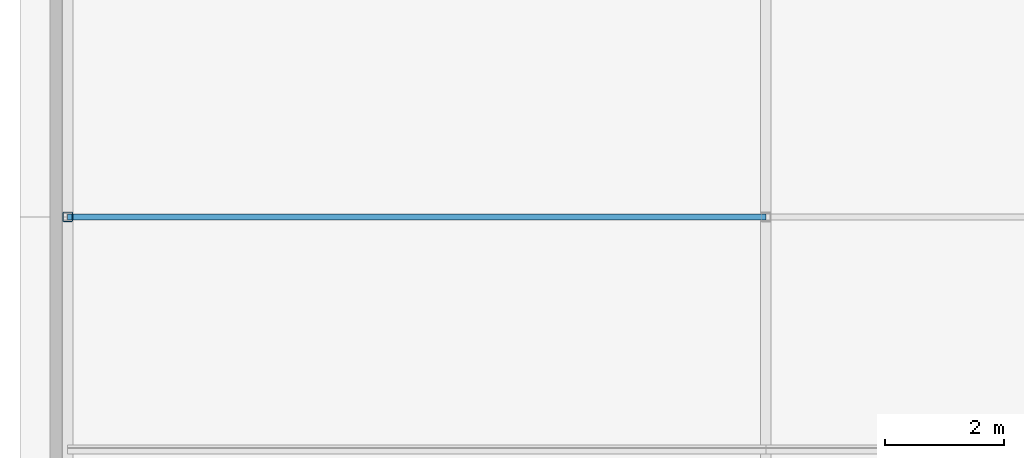
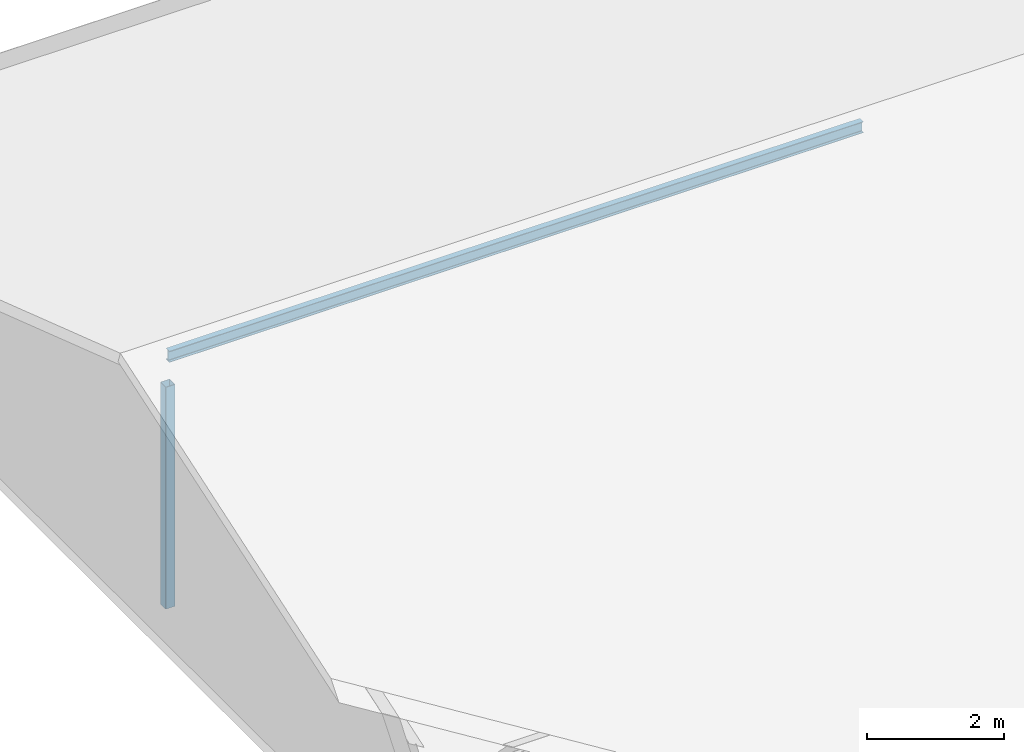
# One storey, part 2 of 12: 2 members.
"""IFC4 building model written with IfcOpenShell, lengths in metres."""

import ifcopenshell
import ifcopenshell.guid

model = None  # the IFC model being written
_history = None  # IfcOwnerHistory: only IFC2X3 demands one
_inside = {}  # id of a spatial element -> (the spatial element, [elements in it])
_under = {}  # id of a project, library or spatial element -> (it, [spatial elements below it])
_declared = {}  # id of a project -> (the project, [libraries it declares])
_typed = {}  # id of a type object -> (the type object, [elements of that type])
_made_of = {}  # id of a material, layer set ... -> (it, [elements and type objects made of it])


def new_model(schema):
    """Start an empty IFC model of exactly this schema.

    Asked for "IFC4X3", IfcOpenShell would pick the latest addendum, in which some entities
    have other attributes; the version numbers below select the first issue.
    IFC2X3 requires an IfcOwnerHistory on every rooted entity: one is made here for all.
    """
    global model, _history
    if schema == "IFC4X3":
        model = ifcopenshell.file(schema_version=(4, 3, 0, 0))
    else:
        model = ifcopenshell.file(schema=schema)
    _inside.clear()
    _under.clear()
    _declared.clear()
    _typed.clear()
    _made_of.clear()
    _history = None
    if model.schema == "IFC2X3":
        org = make("IfcOrganization", Name="unknown")
        user = make(
            "IfcPersonAndOrganization",
            ThePerson=make("IfcPerson", FamilyName="unknown"),
            TheOrganization=org,
        )
        app = make(
            "IfcApplication",
            ApplicationDeveloper=org,
            Version="unknown",
            ApplicationFullName="unknown",
            ApplicationIdentifier="unknown",
        )
        _history = make(
            "IfcOwnerHistory",
            OwningUser=user,
            OwningApplication=app,
            ChangeAction="ADDED",
            CreationDate=0,
        )
    return model


def make(cls, **values):
    """One entity of the class cls with the attributes given. An attribute that is None is left unset."""
    return model.create_entity(
        cls, **{name: value for name, value in values.items() if value is not None}
    )


def rooted(cls, **values):
    """An entity with a GlobalId (a new one), such as an element, a storey or a relation."""
    return make(cls, GlobalId=ifcopenshell.guid.new(), OwnerHistory=_history, **values)


def si_unit(unit_type, name, prefix=None):
    """IfcSIUnit, for example si_unit("LENGTHUNIT", "METRE", prefix="MILLI")."""
    return make("IfcSIUnit", UnitType=unit_type, Prefix=prefix, Name=name)


def assignment(units):
    """IfcUnitAssignment: the units of a project."""
    return None if units is None else make("IfcUnitAssignment", Units=units)


def point(xyz):
    """IfcCartesianPoint."""
    return None if xyz is None else make("IfcCartesianPoint", Coordinates=xyz)


def direction(xyz):
    """IfcDirection."""
    return None if xyz is None else make("IfcDirection", DirectionRatios=xyz)


def frame(location, z_axis=None, x_axis=None):
    """IfcAxis2Placement3D, a coordinate frame: its origin and axes. An axis left out is left unset."""
    return make(
        "IfcAxis2Placement3D",
        Location=point(location),
        Axis=direction(z_axis),
        RefDirection=direction(x_axis),
    )


def frame_2d(location, x_axis=None):
    """IfcAxis2Placement2D, a coordinate frame in the plane: its origin and x axis."""
    return make(
        "IfcAxis2Placement2D", Location=point(location), RefDirection=direction(x_axis)
    )


def origin():
    """The frame at (0, 0, 0) with its axes left unset."""
    return frame((0.0, 0.0, 0.0))


def origin_2d():
    """The frame at (0, 0) in the plane with its x axis left unset."""
    return frame_2d((0.0, 0.0))


def place(relative_to, where):
    """IfcLocalPlacement: puts the frame where relative to a parent placement (None: the world)."""
    return make(
        "IfcLocalPlacement", PlacementRelTo=relative_to, RelativePlacement=where
    )


def context(
    kind, dimensions, precision=None, world=None, true_north=None, identifier=None
):
    """IfcGeometricRepresentationContext, for example the 3D "Model" context."""
    return make(
        "IfcGeometricRepresentationContext",
        ContextIdentifier=identifier,
        ContextType=kind,
        CoordinateSpaceDimension=dimensions,
        Precision=precision,
        WorldCoordinateSystem=world,
        TrueNorth=true_north,
    )


def subcontext(parent, identifier, kind, view, scale=None):
    """IfcGeometricRepresentationSubContext, for example "Body" below "Model"."""
    return make(
        "IfcGeometricRepresentationSubContext",
        ContextIdentifier=identifier,
        ContextType=kind,
        ParentContext=parent,
        TargetScale=scale,
        TargetView=view,
    )


def project(units=None, contexts=None):
    """IfcProject with its units and contexts."""
    return rooted(
        "IfcProject",
        Name="project",
        RepresentationContexts=contexts,
        UnitsInContext=assignment(units),
    )


def spatial(cls, under=None, at=None, **own):
    """A site, building, storey or space (cls), placed at a placement, below another one or the project."""
    s = rooted(cls, ObjectPlacement=at, **own)
    if under is not None:
        _under.setdefault(under.id(), (under, []))[1].append(s)
    return s


def profile(cls, at=None, kind="AREA", **sizes):
    """A parametric profile (cls). Its sizes go by their IFC names, for example OverallWidth=200.0."""
    return make(cls, ProfileType=kind, Position=at, **sizes)


def hollow_rectangle(**sizes):
    """IfcRectangleHollowProfileDef."""
    return profile("IfcRectangleHollowProfileDef", **sizes)


def i_section(**sizes):
    """IfcIShapeProfileDef."""
    return profile("IfcIShapeProfileDef", **sizes)


def extrude(swept, where, along, depth):
    """IfcExtrudedAreaSolid: the profile swept, set in the frame where, extruded along a direction by depth."""
    return make(
        "IfcExtrudedAreaSolid",
        SweptArea=swept,
        Position=where,
        ExtrudedDirection=direction(along),
        Depth=depth,
    )


def shape(context_of_items, identifier, shape_type, items):
    """IfcShapeRepresentation: the items that make up one representation, for example the "Body"."""
    return make(
        "IfcShapeRepresentation",
        ContextOfItems=context_of_items,
        RepresentationIdentifier=identifier,
        RepresentationType=shape_type,
        Items=items,
    )


def material(Name=None, Category=None):
    """IfcMaterial."""
    return make("IfcMaterial", Name=Name, Category=Category)


def material_profile(
    of_material, cross_section, Name=None, Category=None, Priority=None
):
    """IfcMaterialProfile: a cross section and its material."""
    return make(
        "IfcMaterialProfile",
        Name=Name,
        Material=of_material,
        Profile=cross_section,
        Priority=Priority,
        Category=Category,
    )


def profile_set(profiles, Name=None, composite=None):
    """IfcMaterialProfileSet."""
    return make(
        "IfcMaterialProfileSet",
        Name=Name,
        MaterialProfiles=profiles,
        CompositeProfile=composite,
    )


def made_of(thing, what):
    """Note that an element or type object is made of a material, layer set ...; save() writes the relation."""
    if what is not None:
        _made_of.setdefault(what.id(), (what, []))[1].append(thing)
    return thing


def type_object(cls, material=None, **own):
    """A type object (cls), such as IfcWallType, which elements share."""
    return made_of(rooted(cls, **own), material)


def element(
    cls,
    number,
    at=None,
    inside=None,
    cuts=None,
    type_object=None,
    material=None,
    context=None,
    identifier="Body",
    shape_type=None,
    held_by="IfcProductDefinitionShape",
    body=None,
    shapes=None,
    **own,
):
    """One element of the class cls, such as IfcWall. Its Tag is "e" and its number.

    at: its placement. inside: the storey or other place that contains it. cuts: it is an
    opening in that element (IfcRelVoidsElement). A single representation is given by context,
    identifier, shape_type and body (its items); several are given by shapes. held_by: the class
    of the entity that holds the representations. save() writes the other relations.
    """
    e = rooted(cls, Tag="e%d" % number, ObjectPlacement=at, **own)
    if body is not None:
        shapes = [shape(context, identifier, shape_type, body)]
    if shapes is not None:
        e.Representation = make(held_by, Representations=shapes)
    if inside is not None:
        _inside.setdefault(inside.id(), (inside, []))[1].append(e)
    if cuts is not None:
        rooted(
            "IfcRelVoidsElement", RelatingBuildingElement=cuts, RelatedOpeningElement=e
        )
    if type_object is not None:
        _typed.setdefault(type_object.id(), (type_object, []))[1].append(e)
    return made_of(e, material)


def aggregate(whole, parts):
    """IfcRelAggregates: a whole, such as a stair, and the parts it consists of."""
    return rooted("IfcRelAggregates", RelatingObject=whole, RelatedObjects=parts)


def save(model, path):
    """Write the relations noted so far, then the file.

    IfcRelAggregates (storeys below a building ...), IfcRelContainedInSpatialStructure (elements
    in a storey), IfcRelDefinesByType, IfcRelAssociatesMaterial and IfcRelDeclares: one each for
    every whole, place, type object, material and project.
    """
    for whole, parts in _under.values():
        aggregate(whole, parts)
    for where, things in _inside.values():
        rooted(
            "IfcRelContainedInSpatialStructure",
            RelatedElements=things,
            RelatingStructure=where,
        )
    for kind, things in _typed.values():
        rooted("IfcRelDefinesByType", RelatedObjects=things, RelatingType=kind)
    for what, things in _made_of.values():
        rooted("IfcRelAssociatesMaterial", RelatedObjects=things, RelatingMaterial=what)
    for by, libraries in _declared.values():
        rooted("IfcRelDeclares", RelatingContext=by, RelatedDefinitions=libraries)
    model.write(path)


model = new_model("IFC4")

# Units and contexts
model_context = context("Model", 3, precision=1e-05, world=origin(), true_north=direction((0.0, 1.0)))
body_context = subcontext(model_context, "Body", "Model", "MODEL_VIEW")
ifc_project = project(units=[si_unit("LENGTHUNIT", "METRE"), si_unit("AREAUNIT", "SQUARE_METRE"), si_unit("VOLUMEUNIT", "CUBIC_METRE"), si_unit("PLANEANGLEUNIT", "RADIAN"), si_unit("MASSUNIT", "GRAM", prefix="KILO")], contexts=[model_context])

# Site, building, storey
site_placement = place(None, origin())
site = spatial("IfcSite", under=ifc_project, at=site_placement, CompositionType="ELEMENT")
building_placement = place(site_placement, origin())
building = spatial("IfcBuilding", under=site, at=building_placement, Name="Lilac Gate Convention Centre", CompositionType="ELEMENT")
storey_placement = place(building_placement, frame((0.0, 0.0, 71.39990234375)))
storey = spatial("IfcBuildingStorey", under=building, at=storey_placement, Name="Roof", CompositionType="ELEMENT", Elevation=71.39990234375)

# Members
ifc_material = material(Name="Steel Q355B", Category="steel")
ifc_material_profile_1 = material_profile(ifc_material, hollow_rectangle(XDim=0.159912109375, YDim=0.159912109375, WallThickness=0.006103515625, InnerFilletRadius=0.006103515625, OuterFilletRadius=0.011962890625, at=origin_2d()), Name="SHS160x160x6")
ifc_profile_set_1 = profile_set([ifc_material_profile_1], Name="Steel Q355B")
member_type_1 = type_object("IfcMemberType", Name="Crown king post SHS160x160x6", PredefinedType="STRUT", material=ifc_profile_set_1)
member_1_placement = place(storey_placement, frame((42.300048828125, 234.0, 0.300048828125), z_axis=(0.0, 0.0, 1.0), x_axis=(1.0, 0.0, 0.0)))
element("IfcMember", 1, at=member_1_placement, inside=storey, type_object=member_type_1, Name="CK1 crown frame 1 king post", PredefinedType="STRUT", context=body_context, shape_type="SweptSolid", body=[
    extrude(hollow_rectangle(XDim=0.159912109375, YDim=0.159912109375, WallThickness=0.006103515625, InnerFilletRadius=0.006103515625, OuterFilletRadius=0.011962890625, at=origin_2d()), origin(), (0.0, 0.0, 1.0), 3.954345703125),
])
ifc_material_profile_2 = material_profile(ifc_material, i_section(OverallWidth=0.10009765625, OverallDepth=0.199951171875, WebThickness=0.005615234375, FlangeThickness=0.008056640625, FilletRadius=0.008056640625, at=origin_2d()), Name="HN200x100x5.5x8")
ifc_profile_set_2 = profile_set([ifc_material_profile_2], Name="Steel Q355B")
member_type_2 = type_object("IfcMemberType", Name="Crown purlin HN200x100x5.5x8", PredefinedType="PURLIN", material=ifc_profile_set_2)
member_2_placement = place(storey_placement, frame((42.300048828125, 234.0, 4.75048828125), z_axis=(1.0, 0.0, 0.0), x_axis=(0.0, 1.0, 0.0)))
element("IfcMember", 2, at=member_2_placement, inside=storey, type_object=member_type_2, Name="CU1 crown purlin 3 bay 1", PredefinedType="PURLIN", context=body_context, shape_type="SweptSolid", body=[
    extrude(i_section(OverallWidth=0.10009765625, OverallDepth=0.199951171875, WebThickness=0.005615234375, FlangeThickness=0.008056640625, FilletRadius=0.008056640625, at=origin_2d()), origin(), (0.0, 0.0, 1.0), 11.699951171875),
])

save(model, "model.ifc")
